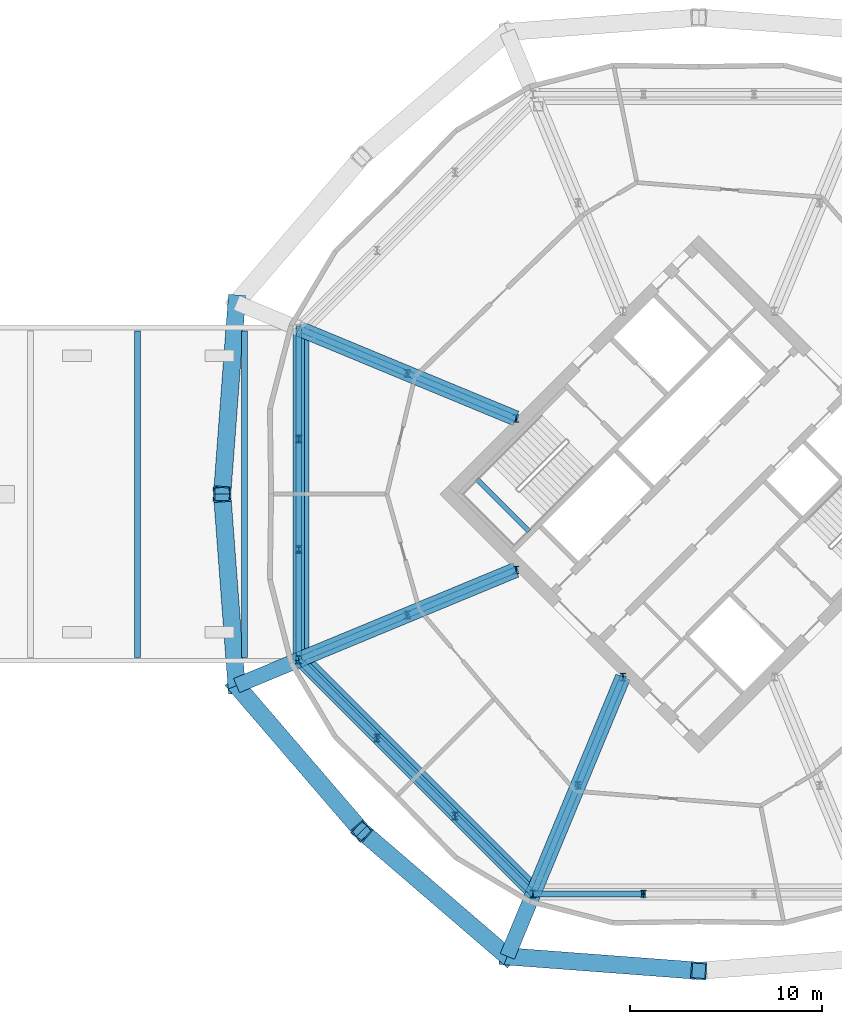
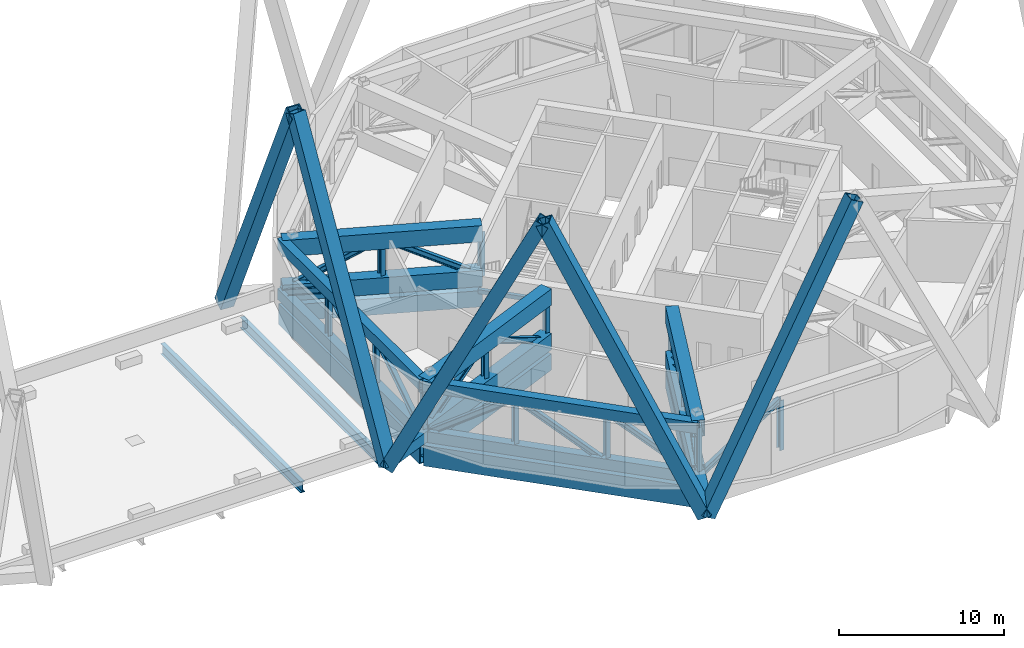
# One storey, part 7 of 20: 41 members, 10 beams.
"""IFC4 building model written with IfcOpenShell, lengths in metres."""

from ifc_helpers import new_model, si_unit, direction, frame, origin, origin_2d, place, context, subcontext, project, spatial, rectangle, hollow_rectangle, i_section, extrude, material, material_profile, profile_set, type_object, element, save


model = new_model("IFC4")

# Units and contexts
model_context = context("Model", 3, precision=1e-05, world=origin(), true_north=direction((0.0, 1.0)))
body_context = subcontext(model_context, "Body", "Model", "MODEL_VIEW")
ifc_project = project(units=[si_unit("LENGTHUNIT", "METRE"), si_unit("AREAUNIT", "SQUARE_METRE"), si_unit("VOLUMEUNIT", "CUBIC_METRE"), si_unit("PLANEANGLEUNIT", "RADIAN"), si_unit("MASSUNIT", "GRAM", prefix="KILO")], contexts=[model_context])

# Site, building, storey
site_placement = place(None, origin())
site = spatial("IfcSite", under=ifc_project, at=site_placement, CompositionType="ELEMENT")
building_placement = place(site_placement, origin())
building = spatial("IfcBuilding", under=site, at=building_placement, Name="Ogive Gate Towers", CompositionType="ELEMENT")
storey_placement = place(building_placement, frame((0.0, 0.0, 160.800048828125)))
storey = spatial("IfcBuildingStorey", under=building, at=storey_placement, Name="L38", CompositionType="ELEMENT", Elevation=160.800048828125)

# Beams
ifc_material_1 = material(Name="Steel SM460", Category="steel")
ifc_material_profile_1 = material_profile(ifc_material_1, i_section(OverallWidth=0.300048828125, OverallDepth=0.7900390625, WebThickness=0.014892578125, FlangeThickness=0.028076171875, FilletRadius=0.030029296875, at=origin_2d()), Name="HE 800 A")
ifc_profile_set_1 = profile_set([ifc_material_profile_1], Name="Steel SM460")
beam_type_1 = type_object("IfcBeamType", Name="Block floor beam HE 800 A", PredefinedType="BEAM", material=ifc_profile_set_1)
for number, where, z_axis, x_axis, name in (
    (1, (6.8388671875, -8.478759765625, -0.695068359375), (0.0, 1.0, 0.0), (-1.0, 0.0, 0.0), "BR/L38/SBM004"),
    (2, (12.3955078125, -8.478759765625, -0.695068359375), (0.0, 1.0, 0.0), (-1.0, 0.0, 0.0), "BR/L38/SBM005"),
):
    element("IfcBeam", number, at=place(storey_placement, frame(where, z_axis=z_axis, x_axis=x_axis)), inside=storey, type_object=beam_type_1, Name=name, PredefinedType="BEAM", context=body_context, shape_type="SweptSolid", body=[
        extrude(i_section(OverallWidth=0.300048828125, OverallDepth=0.7900390625, WebThickness=0.014892578125, FlangeThickness=0.028076171875, FilletRadius=0.030029296875, at=origin_2d()), origin(), (0.0, 0.0, 1.0), 16.95751953125),
    ])

# Members
ifc_material_profile_2 = material_profile(ifc_material_1, hollow_rectangle(XDim=0.89990234375, YDim=0.89990234375, WallThickness=0.070068359375, at=origin_2d()), Name="BX 900x900x70")
ifc_profile_set_2 = profile_set([ifc_material_profile_2], Name="Steel SM460")
member_type_1 = type_object("IfcMemberType", Name="Diagrid diagonal BX 900x900x70", PredefinedType="BRACE", material=ifc_profile_set_2)
for number, where, z_axis, x_axis, name in (
    (3, (11.98828125, 9.94580078125, 0.0), (-0.032953335145, -0.437994442779, 0.898373500165), (0.997181665421, -0.075024836873, 0.0), "T2/L38/SDG008"),
    (4, (11.98828125, -9.94580078125, 0.0), (-0.032953335145, 0.437994442779, 0.898373500165), (-0.997181665421, -0.075024836873, 0.0), "T2/L38/SDG009"),
):
    element("IfcMember", number, at=place(storey_placement, frame(where, z_axis=z_axis, x_axis=x_axis)), inside=storey, type_object=member_type_1, Name=name, PredefinedType="BRACE", context=body_context, shape_type="SweptSolid", body=[
        extrude(hollow_rectangle(XDim=0.89990234375, YDim=0.89990234375, WallThickness=0.070068359375, at=origin_2d()), origin(), (0.0, 0.0, 1.0), 22.70751953125),
    ])
for number, where, z_axis, x_axis, name in (
    (5, (11.98828125, -9.94580078125, 0.0), (0.286407312058, -0.333025507377, 0.898367888471), (0.758179145942, 0.652046304076, 0.0), "T2/L38/SDG010"),
    (6, (26.05419921875, -24.01171875, 0.0), (-0.333025507377, 0.286407312058, 0.898367888471), (-0.652046304076, -0.758179145942, 0.0), "T2/L38/SDG011"),
):
    element("IfcMember", number, at=place(storey_placement, frame(where, z_axis=z_axis, x_axis=x_axis)), inside=storey, type_object=member_type_1, Name=name, PredefinedType="BRACE", context=body_context, shape_type="SweptSolid", body=[
        extrude(hollow_rectangle(XDim=0.89990234375, YDim=0.89990234375, WallThickness=0.070068359375, at=origin_2d()), origin(), (0.0, 0.0, 1.0), 22.707763671875),
    ])
member_1_placement = place(storey_placement, frame((26.05419921875, -24.01171875, 0.0), z_axis=(0.437994442779, -0.032953335145, 0.898373500165), x_axis=(0.075024836873, 0.997181665421, 0.0)))
element("IfcMember", 7, at=member_1_placement, inside=storey, type_object=member_type_1, Name="T2/L38/SDG012", PredefinedType="BRACE", context=body_context, shape_type="SweptSolid", body=[
    extrude(hollow_rectangle(XDim=0.89990234375, YDim=0.89990234375, WallThickness=0.070068359375, at=origin_2d()), origin(), (0.0, 0.0, 1.0), 22.70751953125),
])

# Beams
ifc_material_profile_3 = material_profile(ifc_material_1, hollow_rectangle(XDim=0.800048828125, YDim=1.5, WallThickness=0.06005859375, at=origin_2d()), Name="BX 1500x800x60")
ifc_profile_set_3 = profile_set([ifc_material_profile_3], Name="Steel SM460")
beam_type_2 = type_object("IfcBeamType", Name="Edge girder BX 1500x800x60", PredefinedType="BEAM", material=ifc_profile_set_3)
beam_1_placement = place(storey_placement, frame((15.360595703125, -8.549072265625, -1.050048828125), z_axis=(0.707106781187, -0.707106781187, 0.0), x_axis=(0.707106781187, 0.707106781187, 0.0)))
element("IfcBeam", 8, at=beam_1_placement, inside=storey, type_object=beam_type_2, Name="T2/L38/SBM009", PredefinedType="BEAM", context=body_context, shape_type="SweptSolid", body=[
    extrude(hollow_rectangle(XDim=0.800048828125, YDim=1.5, WallThickness=0.06005859375, at=origin_2d()), origin(), (0.0, 0.0, 1.0), 17.098388671875),
])
beam_2_placement = place(storey_placement, frame((15.360595703125, 8.549072265625, -1.050048828125), z_axis=(0.0, -1.0, 0.0), x_axis=(1.0, 0.0, 0.0)))
element("IfcBeam", 9, at=beam_2_placement, inside=storey, type_object=beam_type_2, Name="T2/L38/SBM016", PredefinedType="BEAM", context=body_context, shape_type="SweptSolid", body=[
    extrude(hollow_rectangle(XDim=0.800048828125, YDim=1.5, WallThickness=0.06005859375, at=origin_2d()), origin(), (0.0, 0.0, 1.0), 17.09814453125),
])
ifc_material_2 = material(Name="Concrete C40/50", Category="concrete")
ifc_material_profile_4 = material_profile(ifc_material_2, rectangle(XDim=0.25, YDim=0.300048828125, at=origin_2d()), Name="RC 250x300")
ifc_profile_set_4 = profile_set([ifc_material_profile_4], Name="Concrete C40/50")
beam_type_3 = type_object("IfcBeamType", Name="Landing bearer RC 250x300", PredefinedType="BEAM", material=ifc_profile_set_4)
beam_3_placement = place(storey_placement, frame((24.472412109375, 0.77587890625, 2.050048828125), z_axis=(0.707106781187, -0.707106781187, 0.0), x_axis=(0.707106781187, 0.707106781187, 0.0)))
element("IfcBeam", 10, at=beam_3_placement, inside=storey, type_object=beam_type_3, Name="T2 L38 stair 1 landing bearer 1", PredefinedType="BEAM", context=body_context, shape_type="SweptSolid", body=[
    extrude(rectangle(XDim=0.25, YDim=0.300048828125, at=origin_2d()), origin(), (0.0, 0.0, 1.0), 3.824951171875),
])
ifc_material_profile_5 = material_profile(ifc_material_1, hollow_rectangle(XDim=0.800048828125, YDim=0.800048828125, WallThickness=0.050048828125, at=origin_2d()), Name="BX 800x800x50")
ifc_profile_set_5 = profile_set([ifc_material_profile_5], Name="Steel SM460")
beam_type_4 = type_object("IfcBeamType", Name="Node arm BX 800x800x50", PredefinedType="BEAM", material=ifc_profile_set_5)
for number, where, z_axis, x_axis, name in (
    (11, (15.221923828125, -8.6064453125, 0.449951171875), (-0.923885910704, -0.382668033682, 0.0), (0.382668033682, -0.923885910704, 0.0), "T2/L38/SBM021"),
    (12, (27.3935546875, -20.778076171875, 0.449951171875), (-0.382668033682, -0.923885910704, 0.0), (0.923885910704, -0.382668033682, 0.0), "T2/L38/SBM022"),
):
    element("IfcBeam", number, at=place(storey_placement, frame(where, z_axis=z_axis, x_axis=x_axis)), inside=storey, type_object=beam_type_4, Name=name, PredefinedType="BEAM", context=body_context, shape_type="SweptSolid", body=[
        extrude(hollow_rectangle(XDim=0.800048828125, YDim=0.800048828125, WallThickness=0.050048828125, at=origin_2d()), origin(), (0.0, 0.0, 1.0), 3.5),
    ])
ifc_material_profile_6 = material_profile(ifc_material_1, hollow_rectangle(XDim=0.800048828125, YDim=1.199951171875, WallThickness=0.050048828125, at=origin_2d()), Name="BX 1200x800x50")
ifc_profile_set_6 = profile_set([ifc_material_profile_6], Name="Steel SM460")
beam_type_5 = type_object("IfcBeamType", Name="Transfer radial beam BX 1200x800x50", PredefinedType="BEAM", material=ifc_profile_set_6)
for number, where, z_axis, x_axis, name in (
    (13, (26.5, -3.93505859375, -0.900146484375), (-0.923881839184, -0.382677863518, 0.0), (0.382677863518, -0.923881839184, 0.0), "T2/L38/SBM001"),
    (14, (32.06494140625, -9.5, -0.900146484375), (-0.382677863518, -0.923881839184, 0.0), (0.923881839184, -0.382677863518, 0.0), "T2/L38/SBM002"),
    (15, (26.5, 3.93505859375, -0.900146484375), (-0.923881839184, 0.382677863518, 0.0), (-0.382677863518, -0.923881839184, 0.0), "T2/L38/SBM008"),
):
    element("IfcBeam", number, at=place(storey_placement, frame(where, z_axis=z_axis, x_axis=x_axis)), inside=storey, type_object=beam_type_5, Name=name, PredefinedType="BEAM", context=body_context, shape_type="SweptSolid", body=[
        extrude(hollow_rectangle(XDim=0.800048828125, YDim=1.199951171875, WallThickness=0.050048828125, at=origin_2d()), origin(), (0.0, 0.0, 1.0), 12.05712890625),
    ])

# Members
ifc_material_profile_7 = material_profile(ifc_material_1, hollow_rectangle(XDim=0.800048828125, YDim=1.199951171875, WallThickness=0.050048828125, at=origin_2d()), Name="BX 1200x800x50")
ifc_profile_set_7 = profile_set([ifc_material_profile_7], Name="Steel SM460")
member_type_2 = type_object("IfcMemberType", Name="Truss chord BX 1200x800x50", PredefinedType="CHORD", material=ifc_profile_set_7)
for number, where, z_axis, x_axis, name in (
    (16, (26.5, 3.93505859375, 0.599853515625), (-0.9238837433, 0.382673266464, 0.0), (-0.382673266464, -0.9238837433, 0.0), "T2/L38/STR052"),
    (17, (26.5, 3.93505859375, 3.89990234375), (-0.9238837433, 0.382673266464, 0.0), (-0.382673266464, -0.9238837433, 0.0), "T2/L38/STR053"),
    (18, (26.5, -3.93505859375, 0.599853515625), (-0.9238837433, -0.382673266464, 0.0), (0.382673266464, -0.9238837433, 0.0), "T2/L38/STR066"),
    (19, (26.5, -3.93505859375, 3.89990234375), (-0.9238837433, -0.382673266464, 0.0), (0.382673266464, -0.9238837433, 0.0), "T2/L38/STR067"),
    (20, (32.06494140625, -9.5, 0.599853515625), (-0.382673266464, -0.9238837433, 0.0), (0.9238837433, -0.382673266464, 0.0), "T2/L38/STR080"),
    (21, (32.06494140625, -9.5, 3.89990234375), (-0.382673266464, -0.9238837433, 0.0), (0.9238837433, -0.382673266464, 0.0), "T2/L38/STR081"),
):
    element("IfcMember", number, at=place(storey_placement, frame(where, z_axis=z_axis, x_axis=x_axis)), inside=storey, type_object=member_type_2, Name=name, PredefinedType="CHORD", context=body_context, shape_type="SweptSolid", body=[
        extrude(hollow_rectangle(XDim=0.800048828125, YDim=1.199951171875, WallThickness=0.050048828125, at=origin_2d()), origin(), (0.0, 0.0, 1.0), 12.207275390625),
    ])
ifc_material_profile_8 = material_profile(ifc_material_1, hollow_rectangle(XDim=0.60009765625, YDim=0.800048828125, WallThickness=0.0400390625, at=origin_2d()), Name="BX 800x600x40")
ifc_profile_set_8 = profile_set([ifc_material_profile_8], Name="Steel SM460")
member_type_3 = type_object("IfcMemberType", Name="Truss chord BX 800x600x40", PredefinedType="CHORD", material=ifc_profile_set_8)
for number, where, z_axis, x_axis, name in (
    (22, (15.221923828125, 8.6064453125, 0.39990234375), (0.0, -1.0, 0.0), (1.0, 0.0, 0.0), "T2/L38/STR044"),
    (23, (15.221923828125, 8.6064453125, 4.099853515625), (0.0, -1.0, 0.0), (1.0, 0.0, 0.0), "T2/L38/STR045"),
):
    element("IfcMember", number, at=place(storey_placement, frame(where, z_axis=z_axis, x_axis=x_axis)), inside=storey, type_object=member_type_3, Name=name, PredefinedType="CHORD", context=body_context, shape_type="SweptSolid", body=[
        extrude(hollow_rectangle(XDim=0.60009765625, YDim=0.800048828125, WallThickness=0.0400390625, at=origin_2d()), origin(), (0.0, 0.0, 1.0), 17.212890625),
    ])
for number, where, z_axis, x_axis, name in (
    (24, (15.221923828125, -8.6064453125, 0.39990234375), (0.707106781187, -0.707106781187, 0.0), (0.707106781187, 0.707106781187, 0.0), "T2/L38/STR058"),
    (25, (15.221923828125, -8.6064453125, 4.099853515625), (0.707106781187, -0.707106781187, 0.0), (0.707106781187, 0.707106781187, 0.0), "T2/L38/STR059"),
):
    element("IfcMember", number, at=place(storey_placement, frame(where, z_axis=z_axis, x_axis=x_axis)), inside=storey, type_object=member_type_3, Name=name, PredefinedType="CHORD", context=body_context, shape_type="SweptSolid", body=[
        extrude(hollow_rectangle(XDim=0.60009765625, YDim=0.800048828125, WallThickness=0.0400390625, at=origin_2d()), origin(), (0.0, 0.0, 1.0), 17.21337890625),
    ])
ifc_material_profile_9 = material_profile(ifc_material_1, i_section(OverallWidth=0.300048828125, OverallDepth=0.39990234375, WebThickness=0.013427734375, FlangeThickness=0.02392578125, FilletRadius=0.027099609375, at=origin_2d()), Name="HE 400 B")
ifc_profile_set_9 = profile_set([ifc_material_profile_9], Name="Steel SM460")
member_type_4 = type_object("IfcMemberType", Name="Truss diagonal HE 400 B", PredefinedType="BRACE", material=ifc_profile_set_9)
member_2_placement = place(storey_placement, frame((15.221923828125, 8.6064453125, 0.39990234375), z_axis=(0.0, -0.840409613469, 0.541951733634), x_axis=(1.0, 0.0, 0.0)))
element("IfcMember", 26, at=member_2_placement, inside=storey, type_object=member_type_4, Name="T2/L38/STR046", PredefinedType="BRACE", context=body_context, shape_type="SweptSolid", body=[
    extrude(i_section(OverallWidth=0.300048828125, OverallDepth=0.39990234375, WebThickness=0.013427734375, FlangeThickness=0.02392578125, FilletRadius=0.027099609375, at=origin_2d()), origin(), (0.0, 0.0, 1.0), 6.8271484375),
])
member_3_placement = place(storey_placement, frame((15.221923828125, 2.868896484375, 4.099853515625), z_axis=(0.0, -0.840420116299, -0.541935446452), x_axis=(1.0, 0.0, 0.0)))
element("IfcMember", 27, at=member_3_placement, inside=storey, type_object=member_type_4, Name="T2/L38/STR047", PredefinedType="BRACE", context=body_context, shape_type="SweptSolid", body=[
    extrude(i_section(OverallWidth=0.300048828125, OverallDepth=0.39990234375, WebThickness=0.013427734375, FlangeThickness=0.02392578125, FilletRadius=0.027099609375, at=origin_2d()), origin(), (0.0, 0.0, 1.0), 6.827392578125),
])
member_4_placement = place(storey_placement, frame((15.221923828125, -2.868896484375, 4.099853515625), z_axis=(0.0, -0.840409613469, -0.541951733634), x_axis=(1.0, 0.0, 0.0)))
element("IfcMember", 28, at=member_4_placement, inside=storey, type_object=member_type_4, Name="T2/L38/STR048", PredefinedType="BRACE", context=body_context, shape_type="SweptSolid", body=[
    extrude(i_section(OverallWidth=0.300048828125, OverallDepth=0.39990234375, WebThickness=0.013427734375, FlangeThickness=0.02392578125, FilletRadius=0.027099609375, at=origin_2d()), origin(), (0.0, 0.0, 1.0), 6.8271484375),
])
member_5_placement = place(storey_placement, frame((26.5, 3.93505859375, 0.599853515625), z_axis=(-0.812696392347, 0.336626678165, 0.47561229317), x_axis=(-0.382680337371, -0.923880814494, 0.0)))
element("IfcMember", 29, at=member_5_placement, inside=storey, type_object=member_type_4, Name="T2/L38/STR054", PredefinedType="BRACE", context=body_context, shape_type="SweptSolid", body=[
    extrude(i_section(OverallWidth=0.300048828125, OverallDepth=0.39990234375, WebThickness=0.013427734375, FlangeThickness=0.02392578125, FilletRadius=0.027099609375, at=origin_2d()), origin(), (0.0, 0.0, 1.0), 6.9384765625),
])
member_6_placement = place(storey_placement, frame((20.861083984375, 6.270751953125, 3.89990234375), z_axis=(-0.812708338424, 0.336617052286, -0.475598692981), x_axis=(-0.382666195796, -0.923886671944, 0.0)))
element("IfcMember", 30, at=member_6_placement, inside=storey, type_object=member_type_4, Name="T2/L38/STR055", PredefinedType="BRACE", context=body_context, shape_type="SweptSolid", body=[
    extrude(i_section(OverallWidth=0.300048828125, OverallDepth=0.39990234375, WebThickness=0.013427734375, FlangeThickness=0.02392578125, FilletRadius=0.027099609375, at=origin_2d()), origin(), (0.0, 0.0, 1.0), 6.938720703125),
])
member_7_placement = place(storey_placement, frame((15.221923828125, -8.6064453125, 0.39990234375), z_axis=(0.594262314662, -0.594262314662, 0.541945202714), x_axis=(0.707106781187, 0.707106781187, 0.0)))
element("IfcMember", 31, at=member_7_placement, inside=storey, type_object=member_type_4, Name="T2/L38/STR060", PredefinedType="BRACE", context=body_context, shape_type="SweptSolid", body=[
    extrude(i_section(OverallWidth=0.300048828125, OverallDepth=0.39990234375, WebThickness=0.013427734375, FlangeThickness=0.02392578125, FilletRadius=0.027099609375, at=origin_2d()), origin(), (0.0, 0.0, 1.0), 6.8271484375),
])
member_8_placement = place(storey_placement, frame((19.279052734375, -12.66357421875, 4.099853515625), z_axis=(0.594272816916, -0.594272816916, -0.541922169827), x_axis=(0.707106781187, 0.707106781187, 0.0)))
element("IfcMember", 32, at=member_8_placement, inside=storey, type_object=member_type_4, Name="T2/L38/STR061", PredefinedType="BRACE", context=body_context, shape_type="SweptSolid", body=[
    extrude(i_section(OverallWidth=0.300048828125, OverallDepth=0.39990234375, WebThickness=0.013427734375, FlangeThickness=0.02392578125, FilletRadius=0.027099609375, at=origin_2d()), origin(), (0.0, 0.0, 1.0), 6.827392578125),
])
member_9_placement = place(storey_placement, frame((23.33642578125, -16.720947265625, 4.099853515625), z_axis=(0.594262314662, -0.594262314662, -0.541945202714), x_axis=(0.707106781187, 0.707106781187, 0.0)))
element("IfcMember", 33, at=member_9_placement, inside=storey, type_object=member_type_4, Name="T2/L38/STR062", PredefinedType="BRACE", context=body_context, shape_type="SweptSolid", body=[
    extrude(i_section(OverallWidth=0.300048828125, OverallDepth=0.39990234375, WebThickness=0.013427734375, FlangeThickness=0.02392578125, FilletRadius=0.027099609375, at=origin_2d()), origin(), (0.0, 0.0, 1.0), 6.8271484375),
])
member_10_placement = place(storey_placement, frame((26.5, -3.93505859375, 0.599853515625), z_axis=(-0.812696392347, -0.336626678165, 0.47561229317), x_axis=(0.382680337371, -0.923880814494, 0.0)))
element("IfcMember", 34, at=member_10_placement, inside=storey, type_object=member_type_4, Name="T2/L38/STR068", PredefinedType="BRACE", context=body_context, shape_type="SweptSolid", body=[
    extrude(i_section(OverallWidth=0.300048828125, OverallDepth=0.39990234375, WebThickness=0.013427734375, FlangeThickness=0.02392578125, FilletRadius=0.027099609375, at=origin_2d()), origin(), (0.0, 0.0, 1.0), 6.9384765625),
])
member_11_placement = place(storey_placement, frame((20.861083984375, -6.270751953125, 3.89990234375), z_axis=(-0.812708338424, -0.336617052286, -0.475598692981), x_axis=(0.382666195796, -0.923886671944, 0.0)))
element("IfcMember", 35, at=member_11_placement, inside=storey, type_object=member_type_4, Name="T2/L38/STR069", PredefinedType="BRACE", context=body_context, shape_type="SweptSolid", body=[
    extrude(i_section(OverallWidth=0.300048828125, OverallDepth=0.39990234375, WebThickness=0.013427734375, FlangeThickness=0.02392578125, FilletRadius=0.027099609375, at=origin_2d()), origin(), (0.0, 0.0, 1.0), 6.938720703125),
])
member_12_placement = place(storey_placement, frame((27.3935546875, -20.778076171875, 0.39990234375), z_axis=(0.840409613469, 0.0, 0.541951733634), x_axis=(0.0, 1.0, 0.0)))
element("IfcMember", 36, at=member_12_placement, inside=storey, type_object=member_type_4, Name="T2/L38/STR074", PredefinedType="BRACE", context=body_context, shape_type="SweptSolid", body=[
    extrude(i_section(OverallWidth=0.300048828125, OverallDepth=0.39990234375, WebThickness=0.013427734375, FlangeThickness=0.02392578125, FilletRadius=0.027099609375, at=origin_2d()), origin(), (0.0, 0.0, 1.0), 6.8271484375),
])
member_13_placement = place(storey_placement, frame((32.06494140625, -9.5, 0.599853515625), z_axis=(-0.336626678165, -0.812696392347, 0.47561229317), x_axis=(0.923880814494, -0.382680337371, 0.0)))
element("IfcMember", 37, at=member_13_placement, inside=storey, type_object=member_type_4, Name="T2/L38/STR082", PredefinedType="BRACE", context=body_context, shape_type="SweptSolid", body=[
    extrude(i_section(OverallWidth=0.300048828125, OverallDepth=0.39990234375, WebThickness=0.013427734375, FlangeThickness=0.02392578125, FilletRadius=0.027099609375, at=origin_2d()), origin(), (0.0, 0.0, 1.0), 6.9384765625),
])
member_14_placement = place(storey_placement, frame((29.729248046875, -15.138916015625, 3.89990234375), z_axis=(-0.336617052286, -0.812708338424, -0.475598692981), x_axis=(0.923886671944, -0.382666195796, 0.0)))
element("IfcMember", 38, at=member_14_placement, inside=storey, type_object=member_type_4, Name="T2/L38/STR083", PredefinedType="BRACE", context=body_context, shape_type="SweptSolid", body=[
    extrude(i_section(OverallWidth=0.300048828125, OverallDepth=0.39990234375, WebThickness=0.013427734375, FlangeThickness=0.02392578125, FilletRadius=0.027099609375, at=origin_2d()), origin(), (0.0, 0.0, 1.0), 6.938720703125),
])
ifc_material_profile_10 = material_profile(ifc_material_1, i_section(OverallWidth=0.300048828125, OverallDepth=0.39990234375, WebThickness=0.013427734375, FlangeThickness=0.02392578125, FilletRadius=0.027099609375, at=origin_2d()), Name="HE 400 B")
ifc_profile_set_10 = profile_set([ifc_material_profile_10], Name="Steel SM460")
member_type_5 = type_object("IfcMemberType", Name="Truss post HE 400 B", PredefinedType="POST", material=ifc_profile_set_10)
for number, where, z_axis, x_axis, name in (
    (39, (15.221923828125, 2.868896484375, 0.39990234375), (0.0, 0.0, 1.0), (1.0, 0.0, 0.0), "T2/L38/STR049"),
    (40, (15.221923828125, -2.868896484375, 0.39990234375), (0.0, 0.0, 1.0), (1.0, 0.0, 0.0), "T2/L38/STR050"),
    (41, (15.221923828125, -8.6064453125, 0.39990234375), (0.0, 0.0, 1.0), (1.0, 0.0, 0.0), "T2/L38/STR051"),
):
    element("IfcMember", number, at=place(storey_placement, frame(where, z_axis=z_axis, x_axis=x_axis)), inside=storey, type_object=member_type_5, Name=name, PredefinedType="POST", context=body_context, shape_type="SweptSolid", body=[
        extrude(i_section(OverallWidth=0.300048828125, OverallDepth=0.39990234375, WebThickness=0.013427734375, FlangeThickness=0.02392578125, FilletRadius=0.027099609375, at=origin_2d()), origin(), (0.0, 0.0, 1.0), 3.699951171875),
    ])
for number, where, z_axis, x_axis, name in (
    (42, (26.5, 3.93505859375, 0.599853515625), (0.0, 0.0, 1.0), (1.0, 0.0, 0.0), "T2/L38/STR056"),
    (43, (20.861083984375, 6.270751953125, 0.599853515625), (0.0, 0.0, 1.0), (1.0, 0.0, 0.0), "T2/L38/STR057"),
):
    element("IfcMember", number, at=place(storey_placement, frame(where, z_axis=z_axis, x_axis=x_axis)), inside=storey, type_object=member_type_5, Name=name, PredefinedType="POST", context=body_context, shape_type="SweptSolid", body=[
        extrude(i_section(OverallWidth=0.300048828125, OverallDepth=0.39990234375, WebThickness=0.013427734375, FlangeThickness=0.02392578125, FilletRadius=0.027099609375, at=origin_2d()), origin(), (0.0, 0.0, 1.0), 3.300048828125),
    ])
for number, where, z_axis, x_axis, name in (
    (44, (19.279052734375, -12.66357421875, 0.39990234375), (0.0, 0.0, 1.0), (1.0, 0.0, 0.0), "T2/L38/STR063"),
    (45, (23.33642578125, -16.720947265625, 0.39990234375), (0.0, 0.0, 1.0), (1.0, 0.0, 0.0), "T2/L38/STR064"),
    (46, (27.3935546875, -20.778076171875, 0.39990234375), (0.0, 0.0, 1.0), (1.0, 0.0, 0.0), "T2/L38/STR065"),
):
    element("IfcMember", number, at=place(storey_placement, frame(where, z_axis=z_axis, x_axis=x_axis)), inside=storey, type_object=member_type_5, Name=name, PredefinedType="POST", context=body_context, shape_type="SweptSolid", body=[
        extrude(i_section(OverallWidth=0.300048828125, OverallDepth=0.39990234375, WebThickness=0.013427734375, FlangeThickness=0.02392578125, FilletRadius=0.027099609375, at=origin_2d()), origin(), (0.0, 0.0, 1.0), 3.699951171875),
    ])
for number, where, z_axis, x_axis, name in (
    (47, (26.5, -3.93505859375, 0.599853515625), (0.0, 0.0, 1.0), (1.0, 0.0, 0.0), "T2/L38/STR070"),
    (48, (20.861083984375, -6.270751953125, 0.599853515625), (0.0, 0.0, 1.0), (1.0, 0.0, 0.0), "T2/L38/STR071"),
):
    element("IfcMember", number, at=place(storey_placement, frame(where, z_axis=z_axis, x_axis=x_axis)), inside=storey, type_object=member_type_5, Name=name, PredefinedType="POST", context=body_context, shape_type="SweptSolid", body=[
        extrude(i_section(OverallWidth=0.300048828125, OverallDepth=0.39990234375, WebThickness=0.013427734375, FlangeThickness=0.02392578125, FilletRadius=0.027099609375, at=origin_2d()), origin(), (0.0, 0.0, 1.0), 3.300048828125),
    ])
member_15_placement = place(storey_placement, frame((33.131103515625, -20.778076171875, 0.39990234375), z_axis=(0.0, 0.0, 1.0), x_axis=(1.0, 0.0, 0.0)))
element("IfcMember", 49, at=member_15_placement, inside=storey, type_object=member_type_5, Name="T2/L38/STR077", PredefinedType="POST", context=body_context, shape_type="SweptSolid", body=[
    extrude(i_section(OverallWidth=0.300048828125, OverallDepth=0.39990234375, WebThickness=0.013427734375, FlangeThickness=0.02392578125, FilletRadius=0.027099609375, at=origin_2d()), origin(), (0.0, 0.0, 1.0), 3.699951171875),
])
for number, where, z_axis, x_axis, name in (
    (50, (32.06494140625, -9.5, 0.599853515625), (0.0, 0.0, 1.0), (1.0, 0.0, 0.0), "T2/L38/STR084"),
    (51, (29.729248046875, -15.138916015625, 0.599853515625), (0.0, 0.0, 1.0), (1.0, 0.0, 0.0), "T2/L38/STR085"),
):
    element("IfcMember", number, at=place(storey_placement, frame(where, z_axis=z_axis, x_axis=x_axis)), inside=storey, type_object=member_type_5, Name=name, PredefinedType="POST", context=body_context, shape_type="SweptSolid", body=[
        extrude(i_section(OverallWidth=0.300048828125, OverallDepth=0.39990234375, WebThickness=0.013427734375, FlangeThickness=0.02392578125, FilletRadius=0.027099609375, at=origin_2d()), origin(), (0.0, 0.0, 1.0), 3.300048828125),
    ])

save(model, "model.ifc")
